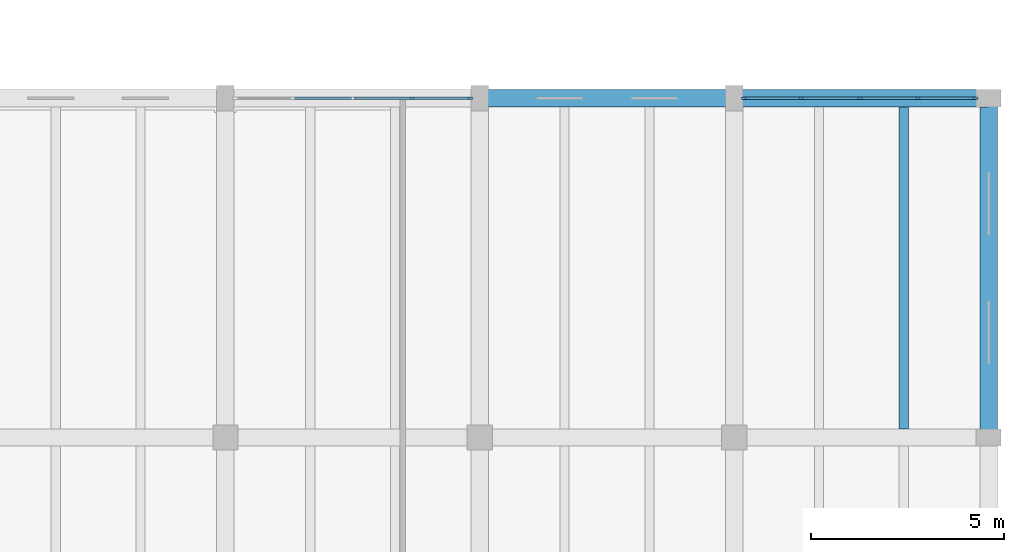
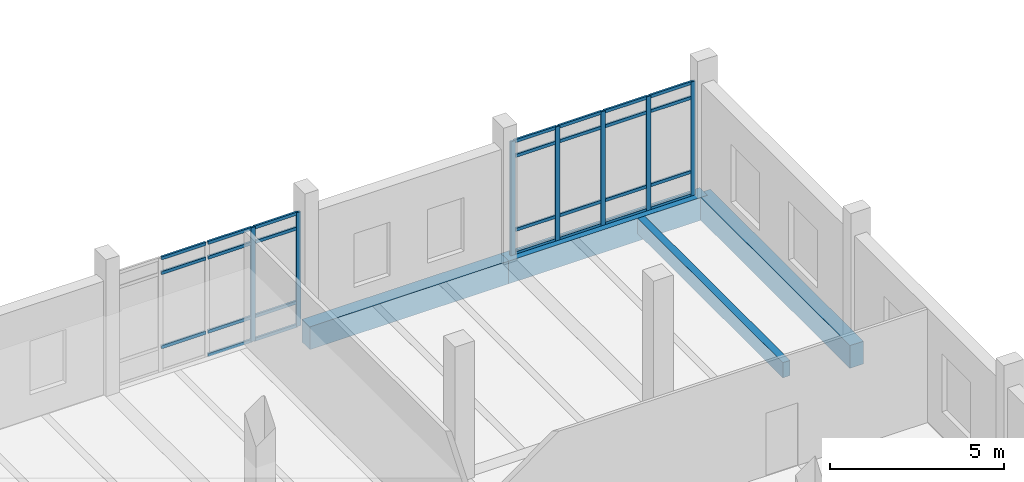
# One storey, part 39 of 101: 34 members, 4 beams, 2 elements without a shape of their own.
"""IFC4 building model written with IfcOpenShell, lengths in metres."""

from ifc_helpers import new_model, si_unit, direction, frame, origin, origin_2d, place, context, subcontext, project, spatial, rectangle, extrude, material, material_profile, profile_set, type_object, element, aggregate, save


model = new_model("IFC4")

# Units and contexts
model_context = context("Model", 3, precision=1e-05, world=origin(), true_north=direction((0.0, 1.0)))
body_context = subcontext(model_context, "Body", "Model", "MODEL_VIEW")
ifc_project = project(units=[si_unit("LENGTHUNIT", "METRE"), si_unit("AREAUNIT", "SQUARE_METRE"), si_unit("VOLUMEUNIT", "CUBIC_METRE"), si_unit("PLANEANGLEUNIT", "RADIAN"), si_unit("MASSUNIT", "GRAM", prefix="KILO")], contexts=[model_context])

# Site, building, storey
site_placement = place(None, origin())
site = spatial("IfcSite", under=ifc_project, at=site_placement, CompositionType="ELEMENT")
building_placement = place(site_placement, origin())
building = spatial("IfcBuilding", under=site, at=building_placement, Name="Dornvale Research Institute", CompositionType="ELEMENT")
storey_placement = place(building_placement, frame((0.0, 0.0, 10.199951171875)))
storey = spatial("IfcBuildingStorey", under=building, at=storey_placement, Name="L02", CompositionType="ELEMENT", Elevation=10.199951171875)

# Beam
ifc_material_1 = material(Name="Concrete f'c 45 MPa (C35/45)", Category="concrete")
ifc_material_profile_1 = material_profile(ifc_material_1, rectangle(XDim=0.239990234375, YDim=0.534912109375, at=origin_2d()), Name="RC 240x535")
ifc_profile_set_1 = profile_set([ifc_material_profile_1], Name="Concrete f'c 45 MPa (C35/45)")
beam_type_1 = type_object("IfcBeamType", Name="Joist_RC240x535_Waffle", PredefinedType="JOIST", material=ifc_profile_set_1)
beam_1_placement = place(storey_placement, frame((176.0, 17.824951171875, -0.267333984375), z_axis=(0.0, 1.0, 0.0), x_axis=(-1.0, 0.0, 0.0)))
element("IfcBeam", 1, at=beam_1_placement, inside=storey, type_object=beam_type_1, Name="L02 laboratory waffle joist #414", PredefinedType="JOIST", context=body_context, shape_type="SweptSolid", body=[
    extrude(rectangle(XDim=0.239990234375, YDim=0.534912109375, at=origin_2d()), origin(), (0.0, 0.0, 1.0), 8.35009765625),
])

# Curtain wall, members
ifc_material_2 = material(Name="Low-E Argon Double Insulating Glazing Unit", Category="glass")
curtain_wall_type_1 = type_object("IfcCurtainWallType", Name="UnitisedCurtainWall_V3_6150x4000", PredefinedType="USERDEFINED", material=ifc_material_2)
curtain_wall_1_placement = place(storey_placement, origin())
curtain_wall_1 = element("IfcCurtainWall", 2, at=curtain_wall_1_placement, inside=storey, type_object=curtain_wall_type_1, Name="L02 V3 unitised curtain wall CW-06 #46", ObjectType="UNITISED CURTAIN WALL", PredefinedType="USERDEFINED")
ifc_material_3 = material(Name="Anodized Aluminum AA 6063-T6 Thermally Broken Frame", Category="aluminium")
ifc_material_profile_2 = material_profile(ifc_material_3, rectangle(XDim=0.06494140625, YDim=0.14990234375, at=origin_2d()), Name="ALU MULLION 65x150")
ifc_profile_set_2 = profile_set([ifc_material_profile_2], Name="Anodized Aluminum AA 6063-T6 Thermally Broken Frame")
member_type_1 = type_object("IfcMemberType", Name="Mullion_CW_65x150", PredefinedType="MULLION", material=ifc_profile_set_2)
member_1_placement = place(storey_placement, frame((163.237548828125, 26.39990234375, 0.0), z_axis=(0.0, 0.0, 1.0), x_axis=(0.0, 1.0, 0.0)))
member_1 = element("IfcMember", 3, at=member_1_placement, type_object=member_type_1, Name="CW-06 mullion 4", PredefinedType="MULLION", context=body_context, shape_type="SweptSolid", body=[
    extrude(rectangle(XDim=0.06494140625, YDim=0.14990234375, at=origin_2d()), origin(), (0.0, 0.0, 1.0), 4.0),
])
member_2_placement = place(storey_placement, frame((164.742431640625, 26.39990234375, 0.0), z_axis=(0.0, 0.0, 1.0), x_axis=(0.0, 1.0, 0.0)))
member_2 = element("IfcMember", 4, at=member_2_placement, type_object=member_type_1, Name="CW-06 mullion 5", PredefinedType="MULLION", context=body_context, shape_type="SweptSolid", body=[
    extrude(rectangle(XDim=0.06494140625, YDim=0.14990234375, at=origin_2d()), origin(), (0.0, 0.0, 1.0), 4.0),
])

ifc_material_4 = material(Name="Low-E Argon Double Insulating Glazing Unit", Category="glass")
curtain_wall_type_2 = type_object("IfcCurtainWallType", Name="UnitisedCurtainWall_V3_6050x4000", PredefinedType="USERDEFINED", material=ifc_material_4)
curtain_wall_2_placement = place(storey_placement, origin())
curtain_wall_2 = element("IfcCurtainWall", 5, at=curtain_wall_2_placement, inside=storey, type_object=curtain_wall_type_2, Name="L02 V3 unitised curtain wall CW-07 #47", ObjectType="UNITISED CURTAIN WALL", PredefinedType="USERDEFINED")
member_3_placement = place(storey_placement, frame((171.857421875, 26.39990234375, 0.0), z_axis=(0.0, 0.0, 1.0), x_axis=(0.0, 1.0, 0.0)))
member_3 = element("IfcMember", 6, at=member_3_placement, type_object=member_type_1, Name="CW-07 mullion 1", PredefinedType="MULLION", context=body_context, shape_type="SweptSolid", body=[
    extrude(rectangle(XDim=0.06494140625, YDim=0.14990234375, at=origin_2d()), origin(), (0.0, 0.0, 1.0), 4.0),
])
member_4_placement = place(storey_placement, frame((173.33740234375, 26.39990234375, 0.0), z_axis=(0.0, 0.0, 1.0), x_axis=(0.0, 1.0, 0.0)))
member_4 = element("IfcMember", 7, at=member_4_placement, type_object=member_type_1, Name="CW-07 mullion 2", PredefinedType="MULLION", context=body_context, shape_type="SweptSolid", body=[
    extrude(rectangle(XDim=0.06494140625, YDim=0.14990234375, at=origin_2d()), origin(), (0.0, 0.0, 1.0), 4.0),
])
member_5_placement = place(storey_placement, frame((174.85009765625, 26.39990234375, 0.0), z_axis=(0.0, 0.0, 1.0), x_axis=(0.0, 1.0, 0.0)))
member_5 = element("IfcMember", 8, at=member_5_placement, type_object=member_type_1, Name="CW-07 mullion 3", PredefinedType="MULLION", context=body_context, shape_type="SweptSolid", body=[
    extrude(rectangle(XDim=0.06494140625, YDim=0.14990234375, at=origin_2d()), origin(), (0.0, 0.0, 1.0), 4.0),
])
member_6_placement = place(storey_placement, frame((176.362548828125, 26.39990234375, 0.0), z_axis=(0.0, 0.0, 1.0), x_axis=(0.0, 1.0, 0.0)))
member_6 = element("IfcMember", 9, at=member_6_placement, type_object=member_type_1, Name="CW-07 mullion 4", PredefinedType="MULLION", context=body_context, shape_type="SweptSolid", body=[
    extrude(rectangle(XDim=0.06494140625, YDim=0.14990234375, at=origin_2d()), origin(), (0.0, 0.0, 1.0), 4.0),
])
member_7_placement = place(storey_placement, frame((177.842529296875, 26.39990234375, 0.0), z_axis=(0.0, 0.0, 1.0), x_axis=(0.0, 1.0, 0.0)))
member_7 = element("IfcMember", 10, at=member_7_placement, type_object=member_type_1, Name="CW-07 mullion 5", PredefinedType="MULLION", context=body_context, shape_type="SweptSolid", body=[
    extrude(rectangle(XDim=0.06494140625, YDim=0.14990234375, at=origin_2d()), origin(), (0.0, 0.0, 1.0), 4.0),
])

# Beams
ifc_material_5 = material(Name="Concrete f'c 45 MPa (C35/45)", Category="concrete")
ifc_material_profile_3 = material_profile(ifc_material_5, rectangle(XDim=0.449951171875, YDim=0.800048828125, at=origin_2d()), Name="RC 450x800")
ifc_profile_set_3 = profile_set([ifc_material_profile_3], Name="Concrete f'c 45 MPa (C35/45)")
beam_type_2 = type_object("IfcBeamType", Name="Spandrel_RC450x800_Ext", PredefinedType="SPANDREL", material=ifc_profile_set_3)
beam_2_placement = place(storey_placement, frame((165.0, 26.39990234375, -0.39990234375), z_axis=(1.0, 0.0, 0.0), x_axis=(0.0, 1.0, 0.0)))
element("IfcBeam", 11, at=beam_2_placement, inside=storey, type_object=beam_type_2, Name="L02 perimeter spandrel #744", PredefinedType="SPANDREL", context=body_context, shape_type="SweptSolid", body=[
    extrude(rectangle(XDim=0.449951171875, YDim=0.800048828125, at=origin_2d()), origin(), (0.0, 0.0, 1.0), 6.60009765625),
])
beam_3_placement = place(storey_placement, frame((171.60009765625, 26.39990234375, -0.39990234375), z_axis=(1.0, 0.0, 0.0), x_axis=(0.0, 1.0, 0.0)))
element("IfcBeam", 12, at=beam_3_placement, inside=storey, type_object=beam_type_2, Name="L02 perimeter spandrel #745", PredefinedType="SPANDREL", context=body_context, shape_type="SweptSolid", body=[
    extrude(rectangle(XDim=0.449951171875, YDim=0.800048828125, at=origin_2d()), origin(), (0.0, 0.0, 1.0), 6.599853515625),
])
beam_4_placement = place(storey_placement, frame((178.199951171875, 17.60009765625, -0.39990234375), z_axis=(0.0, 1.0, 0.0), x_axis=(-1.0, 0.0, 0.0)))
element("IfcBeam", 13, at=beam_4_placement, inside=storey, type_object=beam_type_2, Name="L02 perimeter spandrel #782", PredefinedType="SPANDREL", context=body_context, shape_type="SweptSolid", body=[
    extrude(rectangle(XDim=0.449951171875, YDim=0.800048828125, at=origin_2d()), origin(), (0.0, 0.0, 1.0), 8.7998046875),
])

# Member
ifc_material_6 = material(Name="Anodized Aluminum AA 6063-T6 Thermally Broken Frame", Category="aluminium")
ifc_material_profile_4 = material_profile(ifc_material_6, rectangle(XDim=0.06494140625, YDim=0.110107421875, at=origin_2d()), Name="ALU TRANSOM 65x110")
ifc_profile_set_4 = profile_set([ifc_material_profile_4], Name="Anodized Aluminum AA 6063-T6 Thermally Broken Frame")
member_type_2 = type_object("IfcMemberType", Name="Transom_CW_65x110", PredefinedType="USERDEFINED", material=ifc_profile_set_4)
member_8_placement = place(storey_placement, frame((160.195068359375, 26.39990234375, 0.85009765625), z_axis=(1.0, 0.0, 0.0), x_axis=(0.0, 1.0, 0.0)))
member_8 = element("IfcMember", 14, at=member_8_placement, type_object=member_type_2, Name="CW-06 transom 2.2", ObjectType="TRANSOM", PredefinedType="USERDEFINED", context=body_context, shape_type="SweptSolid", body=[
    extrude(rectangle(XDim=0.06494140625, YDim=0.110107421875, at=origin_2d()), origin(), (0.0, 0.0, 1.0), 1.472412109375),
])

member_9_placement = place(storey_placement, frame((160.195068359375, 26.39990234375, 3.449951171875), z_axis=(1.0, 0.0, 0.0), x_axis=(0.0, 1.0, 0.0)))
member_9 = element("IfcMember", 15, at=member_9_placement, type_object=member_type_2, Name="CW-06 transom 2.3", ObjectType="TRANSOM", PredefinedType="USERDEFINED", context=body_context, shape_type="SweptSolid", body=[
    extrude(rectangle(XDim=0.06494140625, YDim=0.110107421875, at=origin_2d()), origin(), (0.0, 0.0, 1.0), 1.472412109375),
])

member_10_placement = place(storey_placement, frame((160.195068359375, 26.39990234375, 3.967529296875), z_axis=(1.0, 0.0, 0.0), x_axis=(0.0, 1.0, 0.0)))
member_10 = element("IfcMember", 16, at=member_10_placement, type_object=member_type_2, Name="CW-06 transom 2.4", ObjectType="TRANSOM", PredefinedType="USERDEFINED", context=body_context, shape_type="SweptSolid", body=[
    extrude(rectangle(XDim=0.06494140625, YDim=0.110107421875, at=origin_2d()), origin(), (0.0, 0.0, 1.0), 1.472412109375),
])

member_11_placement = place(storey_placement, frame((161.732421875, 26.39990234375, 0.032470703125), z_axis=(1.0, 0.0, 0.0), x_axis=(0.0, 1.0, 0.0)))
member_11 = element("IfcMember", 17, at=member_11_placement, type_object=member_type_2, Name="CW-06 transom 3.1", ObjectType="TRANSOM", PredefinedType="USERDEFINED", context=body_context, shape_type="SweptSolid", body=[
    extrude(rectangle(XDim=0.06494140625, YDim=0.110107421875, at=origin_2d()), origin(), (0.0, 0.0, 1.0), 1.47265625),
])

member_12_placement = place(storey_placement, frame((161.732421875, 26.39990234375, 0.85009765625), z_axis=(1.0, 0.0, 0.0), x_axis=(0.0, 1.0, 0.0)))
member_12 = element("IfcMember", 18, at=member_12_placement, type_object=member_type_2, Name="CW-06 transom 3.2", ObjectType="TRANSOM", PredefinedType="USERDEFINED", context=body_context, shape_type="SweptSolid", body=[
    extrude(rectangle(XDim=0.06494140625, YDim=0.110107421875, at=origin_2d()), origin(), (0.0, 0.0, 1.0), 1.47265625),
])

member_13_placement = place(storey_placement, frame((161.732421875, 26.39990234375, 3.449951171875), z_axis=(1.0, 0.0, 0.0), x_axis=(0.0, 1.0, 0.0)))
member_13 = element("IfcMember", 19, at=member_13_placement, type_object=member_type_2, Name="CW-06 transom 3.3", ObjectType="TRANSOM", PredefinedType="USERDEFINED", context=body_context, shape_type="SweptSolid", body=[
    extrude(rectangle(XDim=0.06494140625, YDim=0.110107421875, at=origin_2d()), origin(), (0.0, 0.0, 1.0), 1.47265625),
])

member_14_placement = place(storey_placement, frame((161.732421875, 26.39990234375, 3.967529296875), z_axis=(1.0, 0.0, 0.0), x_axis=(0.0, 1.0, 0.0)))
member_14 = element("IfcMember", 20, at=member_14_placement, type_object=member_type_2, Name="CW-06 transom 3.4", ObjectType="TRANSOM", PredefinedType="USERDEFINED", context=body_context, shape_type="SweptSolid", body=[
    extrude(rectangle(XDim=0.06494140625, YDim=0.110107421875, at=origin_2d()), origin(), (0.0, 0.0, 1.0), 1.47265625),
])

member_15_placement = place(storey_placement, frame((163.27001953125, 26.39990234375, 0.032470703125), z_axis=(1.0, 0.0, 0.0), x_axis=(0.0, 1.0, 0.0)))
member_15 = element("IfcMember", 21, at=member_15_placement, type_object=member_type_2, Name="CW-06 transom 4.1", ObjectType="TRANSOM", PredefinedType="USERDEFINED", context=body_context, shape_type="SweptSolid", body=[
    extrude(rectangle(XDim=0.06494140625, YDim=0.110107421875, at=origin_2d()), origin(), (0.0, 0.0, 1.0), 1.43994140625),
])

member_16_placement = place(storey_placement, frame((163.27001953125, 26.39990234375, 0.85009765625), z_axis=(1.0, 0.0, 0.0), x_axis=(0.0, 1.0, 0.0)))
member_16 = element("IfcMember", 22, at=member_16_placement, type_object=member_type_2, Name="CW-06 transom 4.2", ObjectType="TRANSOM", PredefinedType="USERDEFINED", context=body_context, shape_type="SweptSolid", body=[
    extrude(rectangle(XDim=0.06494140625, YDim=0.110107421875, at=origin_2d()), origin(), (0.0, 0.0, 1.0), 1.43994140625),
])

member_17_placement = place(storey_placement, frame((163.27001953125, 26.39990234375, 3.449951171875), z_axis=(1.0, 0.0, 0.0), x_axis=(0.0, 1.0, 0.0)))
member_17 = element("IfcMember", 23, at=member_17_placement, type_object=member_type_2, Name="CW-06 transom 4.3", ObjectType="TRANSOM", PredefinedType="USERDEFINED", context=body_context, shape_type="SweptSolid", body=[
    extrude(rectangle(XDim=0.06494140625, YDim=0.110107421875, at=origin_2d()), origin(), (0.0, 0.0, 1.0), 1.43994140625),
])

member_18_placement = place(storey_placement, frame((163.27001953125, 26.39990234375, 3.967529296875), z_axis=(1.0, 0.0, 0.0), x_axis=(0.0, 1.0, 0.0)))
member_18 = element("IfcMember", 24, at=member_18_placement, type_object=member_type_2, Name="CW-06 transom 4.4", ObjectType="TRANSOM", PredefinedType="USERDEFINED", context=body_context, shape_type="SweptSolid", body=[
    extrude(rectangle(XDim=0.06494140625, YDim=0.110107421875, at=origin_2d()), origin(), (0.0, 0.0, 1.0), 1.43994140625),
])

aggregate(curtain_wall_1, [member_1, member_2, member_8, member_9, member_10, member_11, member_12, member_13, member_14, member_15, member_16, member_17, member_18])

member_19_placement = place(storey_placement, frame((171.889892578125, 26.39990234375, 0.032470703125), z_axis=(1.0, 0.0, 0.0), x_axis=(0.0, 1.0, 0.0)))
member_19 = element("IfcMember", 25, at=member_19_placement, type_object=member_type_2, Name="CW-07 transom 1.1", ObjectType="TRANSOM", PredefinedType="USERDEFINED", context=body_context, shape_type="SweptSolid", body=[
    extrude(rectangle(XDim=0.06494140625, YDim=0.110107421875, at=origin_2d()), origin(), (0.0, 0.0, 1.0), 1.4150390625),
])

member_20_placement = place(storey_placement, frame((171.889892578125, 26.39990234375, 0.85009765625), z_axis=(1.0, 0.0, 0.0), x_axis=(0.0, 1.0, 0.0)))
member_20 = element("IfcMember", 26, at=member_20_placement, type_object=member_type_2, Name="CW-07 transom 1.2", ObjectType="TRANSOM", PredefinedType="USERDEFINED", context=body_context, shape_type="SweptSolid", body=[
    extrude(rectangle(XDim=0.06494140625, YDim=0.110107421875, at=origin_2d()), origin(), (0.0, 0.0, 1.0), 1.4150390625),
])

member_21_placement = place(storey_placement, frame((171.889892578125, 26.39990234375, 3.449951171875), z_axis=(1.0, 0.0, 0.0), x_axis=(0.0, 1.0, 0.0)))
member_21 = element("IfcMember", 27, at=member_21_placement, type_object=member_type_2, Name="CW-07 transom 1.3", ObjectType="TRANSOM", PredefinedType="USERDEFINED", context=body_context, shape_type="SweptSolid", body=[
    extrude(rectangle(XDim=0.06494140625, YDim=0.110107421875, at=origin_2d()), origin(), (0.0, 0.0, 1.0), 1.4150390625),
])

member_22_placement = place(storey_placement, frame((171.889892578125, 26.39990234375, 3.967529296875), z_axis=(1.0, 0.0, 0.0), x_axis=(0.0, 1.0, 0.0)))
member_22 = element("IfcMember", 28, at=member_22_placement, type_object=member_type_2, Name="CW-07 transom 1.4", ObjectType="TRANSOM", PredefinedType="USERDEFINED", context=body_context, shape_type="SweptSolid", body=[
    extrude(rectangle(XDim=0.06494140625, YDim=0.110107421875, at=origin_2d()), origin(), (0.0, 0.0, 1.0), 1.4150390625),
])

member_23_placement = place(storey_placement, frame((173.3701171875, 26.39990234375, 0.032470703125), z_axis=(1.0, 0.0, 0.0), x_axis=(0.0, 1.0, 0.0)))
member_23 = element("IfcMember", 29, at=member_23_placement, type_object=member_type_2, Name="CW-07 transom 2.1", ObjectType="TRANSOM", PredefinedType="USERDEFINED", context=body_context, shape_type="SweptSolid", body=[
    extrude(rectangle(XDim=0.06494140625, YDim=0.110107421875, at=origin_2d()), origin(), (0.0, 0.0, 1.0), 1.447265625),
])

member_24_placement = place(storey_placement, frame((173.3701171875, 26.39990234375, 0.85009765625), z_axis=(1.0, 0.0, 0.0), x_axis=(0.0, 1.0, 0.0)))
member_24 = element("IfcMember", 30, at=member_24_placement, type_object=member_type_2, Name="CW-07 transom 2.2", ObjectType="TRANSOM", PredefinedType="USERDEFINED", context=body_context, shape_type="SweptSolid", body=[
    extrude(rectangle(XDim=0.06494140625, YDim=0.110107421875, at=origin_2d()), origin(), (0.0, 0.0, 1.0), 1.447265625),
])

member_25_placement = place(storey_placement, frame((173.3701171875, 26.39990234375, 3.449951171875), z_axis=(1.0, 0.0, 0.0), x_axis=(0.0, 1.0, 0.0)))
member_25 = element("IfcMember", 31, at=member_25_placement, type_object=member_type_2, Name="CW-07 transom 2.3", ObjectType="TRANSOM", PredefinedType="USERDEFINED", context=body_context, shape_type="SweptSolid", body=[
    extrude(rectangle(XDim=0.06494140625, YDim=0.110107421875, at=origin_2d()), origin(), (0.0, 0.0, 1.0), 1.447265625),
])

member_26_placement = place(storey_placement, frame((173.3701171875, 26.39990234375, 3.967529296875), z_axis=(1.0, 0.0, 0.0), x_axis=(0.0, 1.0, 0.0)))
member_26 = element("IfcMember", 32, at=member_26_placement, type_object=member_type_2, Name="CW-07 transom 2.4", ObjectType="TRANSOM", PredefinedType="USERDEFINED", context=body_context, shape_type="SweptSolid", body=[
    extrude(rectangle(XDim=0.06494140625, YDim=0.110107421875, at=origin_2d()), origin(), (0.0, 0.0, 1.0), 1.447265625),
])

member_27_placement = place(storey_placement, frame((174.882568359375, 26.39990234375, 0.032470703125), z_axis=(1.0, 0.0, 0.0), x_axis=(0.0, 1.0, 0.0)))
member_27 = element("IfcMember", 33, at=member_27_placement, type_object=member_type_2, Name="CW-07 transom 3.1", ObjectType="TRANSOM", PredefinedType="USERDEFINED", context=body_context, shape_type="SweptSolid", body=[
    extrude(rectangle(XDim=0.06494140625, YDim=0.110107421875, at=origin_2d()), origin(), (0.0, 0.0, 1.0), 1.447509765625),
])

member_28_placement = place(storey_placement, frame((174.882568359375, 26.39990234375, 0.85009765625), z_axis=(1.0, 0.0, 0.0), x_axis=(0.0, 1.0, 0.0)))
member_28 = element("IfcMember", 34, at=member_28_placement, type_object=member_type_2, Name="CW-07 transom 3.2", ObjectType="TRANSOM", PredefinedType="USERDEFINED", context=body_context, shape_type="SweptSolid", body=[
    extrude(rectangle(XDim=0.06494140625, YDim=0.110107421875, at=origin_2d()), origin(), (0.0, 0.0, 1.0), 1.447509765625),
])

member_29_placement = place(storey_placement, frame((174.882568359375, 26.39990234375, 3.449951171875), z_axis=(1.0, 0.0, 0.0), x_axis=(0.0, 1.0, 0.0)))
member_29 = element("IfcMember", 35, at=member_29_placement, type_object=member_type_2, Name="CW-07 transom 3.3", ObjectType="TRANSOM", PredefinedType="USERDEFINED", context=body_context, shape_type="SweptSolid", body=[
    extrude(rectangle(XDim=0.06494140625, YDim=0.110107421875, at=origin_2d()), origin(), (0.0, 0.0, 1.0), 1.447509765625),
])

member_30_placement = place(storey_placement, frame((174.882568359375, 26.39990234375, 3.967529296875), z_axis=(1.0, 0.0, 0.0), x_axis=(0.0, 1.0, 0.0)))
member_30 = element("IfcMember", 36, at=member_30_placement, type_object=member_type_2, Name="CW-07 transom 3.4", ObjectType="TRANSOM", PredefinedType="USERDEFINED", context=body_context, shape_type="SweptSolid", body=[
    extrude(rectangle(XDim=0.06494140625, YDim=0.110107421875, at=origin_2d()), origin(), (0.0, 0.0, 1.0), 1.447509765625),
])

member_31_placement = place(storey_placement, frame((176.39501953125, 26.39990234375, 0.032470703125), z_axis=(1.0, 0.0, 0.0), x_axis=(0.0, 1.0, 0.0)))
member_31 = element("IfcMember", 37, at=member_31_placement, type_object=member_type_2, Name="CW-07 transom 4.1", ObjectType="TRANSOM", PredefinedType="USERDEFINED", context=body_context, shape_type="SweptSolid", body=[
    extrude(rectangle(XDim=0.06494140625, YDim=0.110107421875, at=origin_2d()), origin(), (0.0, 0.0, 1.0), 1.4150390625),
])

member_32_placement = place(storey_placement, frame((176.39501953125, 26.39990234375, 0.85009765625), z_axis=(1.0, 0.0, 0.0), x_axis=(0.0, 1.0, 0.0)))
member_32 = element("IfcMember", 38, at=member_32_placement, type_object=member_type_2, Name="CW-07 transom 4.2", ObjectType="TRANSOM", PredefinedType="USERDEFINED", context=body_context, shape_type="SweptSolid", body=[
    extrude(rectangle(XDim=0.06494140625, YDim=0.110107421875, at=origin_2d()), origin(), (0.0, 0.0, 1.0), 1.4150390625),
])

member_33_placement = place(storey_placement, frame((176.39501953125, 26.39990234375, 3.449951171875), z_axis=(1.0, 0.0, 0.0), x_axis=(0.0, 1.0, 0.0)))
member_33 = element("IfcMember", 39, at=member_33_placement, type_object=member_type_2, Name="CW-07 transom 4.3", ObjectType="TRANSOM", PredefinedType="USERDEFINED", context=body_context, shape_type="SweptSolid", body=[
    extrude(rectangle(XDim=0.06494140625, YDim=0.110107421875, at=origin_2d()), origin(), (0.0, 0.0, 1.0), 1.4150390625),
])

member_34_placement = place(storey_placement, frame((176.39501953125, 26.39990234375, 3.967529296875), z_axis=(1.0, 0.0, 0.0), x_axis=(0.0, 1.0, 0.0)))
member_34 = element("IfcMember", 40, at=member_34_placement, type_object=member_type_2, Name="CW-07 transom 4.4", ObjectType="TRANSOM", PredefinedType="USERDEFINED", context=body_context, shape_type="SweptSolid", body=[
    extrude(rectangle(XDim=0.06494140625, YDim=0.110107421875, at=origin_2d()), origin(), (0.0, 0.0, 1.0), 1.4150390625),
])

aggregate(curtain_wall_2, [member_3, member_4, member_5, member_6, member_7, member_19, member_20, member_21, member_22, member_23, member_24, member_25, member_26, member_27, member_28, member_29, member_30, member_31, member_32, member_33, member_34])

save(model, "model.ifc")
